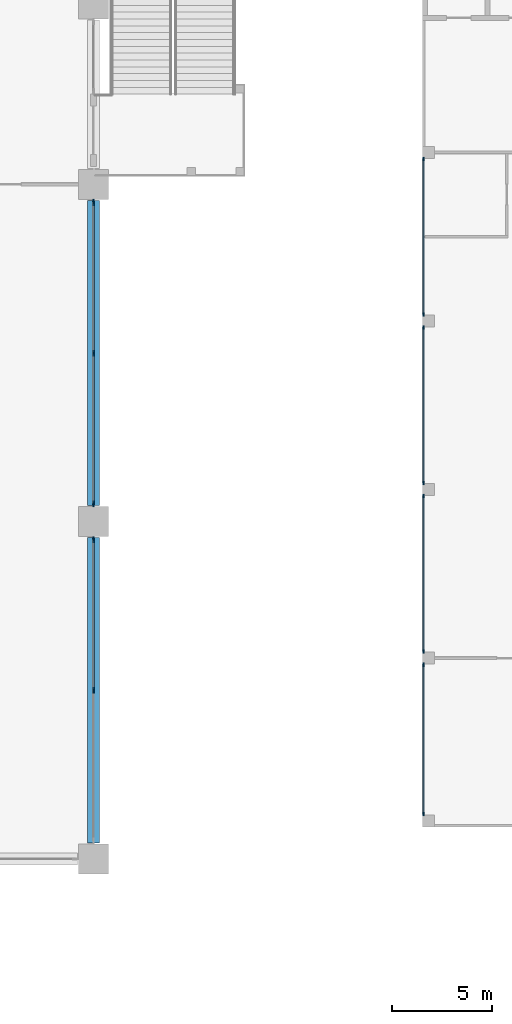
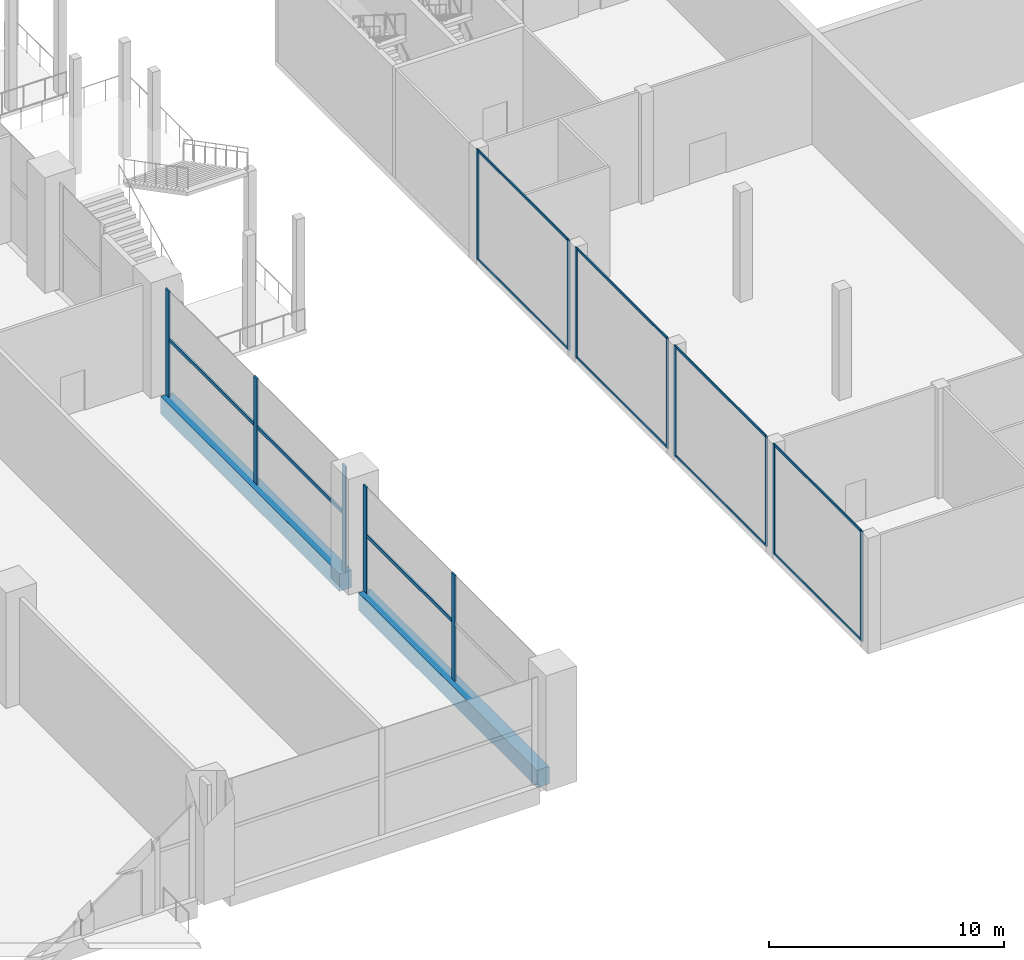
# One storey, part 8 of 49: 24 members, 2 beams, 6 elements without a shape of their own.
"""IFC4 building model written with IfcOpenShell, lengths in metres."""

from ifc_helpers import new_model, si_unit, direction, frame, origin, origin_2d, place, context, subcontext, project, spatial, rectangle, extrude, material, material_profile, profile_set, type_object, element, aggregate, save


model = new_model("IFC4")

# Units and contexts
model_context = context("Model", 3, precision=1e-05, world=origin(), true_north=direction((0.0, 1.0)))
body_context = subcontext(model_context, "Body", "Model", "MODEL_VIEW")
ifc_project = project(units=[si_unit("LENGTHUNIT", "METRE"), si_unit("AREAUNIT", "SQUARE_METRE"), si_unit("VOLUMEUNIT", "CUBIC_METRE"), si_unit("PLANEANGLEUNIT", "RADIAN"), si_unit("MASSUNIT", "GRAM", prefix="KILO")], contexts=[model_context])

# Site, building, storey
site_placement = place(None, origin())
site = spatial("IfcSite", under=ifc_project, at=site_placement, CompositionType="ELEMENT")
building_placement = place(site_placement, origin())
building = spatial("IfcBuilding", under=site, at=building_placement, Name="Candeia Pilgrim Tower and Theatre", CompositionType="ELEMENT")
storey_placement = place(building_placement, frame((0.0, 0.0, 17.0)))
storey = spatial("IfcBuildingStorey", under=building, at=storey_placement, Name="L02", CompositionType="ELEMENT", Elevation=17.0)

# Curtain wall, members
ifc_material_1 = material(Name="Aluminium framed podium glazing", Category="aluminium")
curtain_wall_type_1 = type_object("IfcCurtainWallType", Name="CW-P curtain wall", PredefinedType="NOTDEFINED", material=ifc_material_1)
curtain_wall_1_placement = place(storey_placement, origin())
curtain_wall_1 = element("IfcCurtainWall", 1, at=curtain_wall_1_placement, inside=storey, type_object=curtain_wall_type_1, Name="Curtain wall CW-P L02.250", PredefinedType="NOTDEFINED")
ifc_material_2 = material(Name="Anodised aluminium", Category="aluminium")
ifc_material_profile_1 = material_profile(ifc_material_2, rectangle(XDim=0.080078125, YDim=0.300048828125, at=origin_2d()))
ifc_profile_set_1 = profile_set([ifc_material_profile_1], Name="Anodised aluminium")
member_type_1 = type_object("IfcMemberType", Name="CW-P mullion 80x300", PredefinedType="MULLION", material=ifc_profile_set_1)
member_1_placement = place(storey_placement, frame((159.60009765625, 97.10009765625, 0.0), z_axis=(0.0, 0.0, 1.0), x_axis=(1.0, 0.0, 0.0)))
member_1 = element("IfcMember", 2, at=member_1_placement, type_object=member_type_1, Name="CW-P mullion 1", PredefinedType="MULLION", context=body_context, shape_type="SweptSolid", body=[
    extrude(rectangle(XDim=0.080078125, YDim=0.300048828125, at=origin_2d()), origin(), (0.0, 0.0, 1.0), 5.5),
])
member_2_placement = place(storey_placement, frame((159.60009765625, 89.60009765625, 0.0), z_axis=(0.0, 0.0, 1.0), x_axis=(1.0, 0.0, 0.0)))
member_2 = element("IfcMember", 3, at=member_2_placement, type_object=member_type_1, Name="CW-P mullion 2", PredefinedType="MULLION", context=body_context, shape_type="SweptSolid", body=[
    extrude(rectangle(XDim=0.080078125, YDim=0.300048828125, at=origin_2d()), origin(), (0.0, 0.0, 1.0), 5.5),
])
member_3_placement = place(storey_placement, frame((159.60009765625, 82.10009765625, 0.0), z_axis=(0.0, 0.0, 1.0), x_axis=(1.0, 0.0, 0.0)))
member_3 = element("IfcMember", 4, at=member_3_placement, type_object=member_type_1, Name="CW-P mullion 3", PredefinedType="MULLION", context=body_context, shape_type="SweptSolid", body=[
    extrude(rectangle(XDim=0.080078125, YDim=0.300048828125, at=origin_2d()), origin(), (0.0, 0.0, 1.0), 5.5),
])

curtain_wall_2_placement = place(storey_placement, origin())
curtain_wall_2 = element("IfcCurtainWall", 5, at=curtain_wall_2_placement, inside=storey, type_object=curtain_wall_type_1, Name="Curtain wall CW-P L02.260", PredefinedType="NOTDEFINED")
member_4_placement = place(storey_placement, frame((159.60009765625, 80.300048828125, 0.0), z_axis=(0.0, 0.0, 1.0), x_axis=(1.0, 0.0, 0.0)))
member_4 = element("IfcMember", 6, at=member_4_placement, type_object=member_type_1, Name="CW-P mullion 1", PredefinedType="MULLION", context=body_context, shape_type="SweptSolid", body=[
    extrude(rectangle(XDim=0.080078125, YDim=0.300048828125, at=origin_2d()), origin(), (0.0, 0.0, 1.0), 5.5),
])
member_5_placement = place(storey_placement, frame((159.60009765625, 72.800048828125, 0.0), z_axis=(0.0, 0.0, 1.0), x_axis=(1.0, 0.0, 0.0)))
member_5 = element("IfcMember", 7, at=member_5_placement, type_object=member_type_1, Name="CW-P mullion 2", PredefinedType="MULLION", context=body_context, shape_type="SweptSolid", body=[
    extrude(rectangle(XDim=0.080078125, YDim=0.300048828125, at=origin_2d()), origin(), (0.0, 0.0, 1.0), 5.5),
])

# Member
ifc_material_profile_2 = material_profile(ifc_material_2, rectangle(XDim=0.080078125, YDim=0.179931640625, at=origin_2d()))
ifc_profile_set_2 = profile_set([ifc_material_profile_2], Name="Anodised aluminium")
member_type_2 = type_object("IfcMemberType", Name="CW-P transom 80x180", PredefinedType="USERDEFINED", material=ifc_profile_set_2)
member_6_placement = place(storey_placement, frame((159.60009765625, 97.06005859375, 3.0), z_axis=(0.0, -1.0, 0.0), x_axis=(1.0, 0.0, 0.0)))
member_6 = element("IfcMember", 8, at=member_6_placement, type_object=member_type_2, Name="CW-P transom 1.1", ObjectType="TRANSOM", PredefinedType="USERDEFINED", context=body_context, shape_type="SweptSolid", body=[
    extrude(rectangle(XDim=0.080078125, YDim=0.179931640625, at=origin_2d()), origin(), (0.0, 0.0, 1.0), 7.420166015625),
])

member_7_placement = place(storey_placement, frame((159.60009765625, 89.56005859375, 3.0), z_axis=(0.0, -1.0, 0.0), x_axis=(1.0, 0.0, 0.0)))
member_7 = element("IfcMember", 9, at=member_7_placement, type_object=member_type_2, Name="CW-P transom 2.1", ObjectType="TRANSOM", PredefinedType="USERDEFINED", context=body_context, shape_type="SweptSolid", body=[
    extrude(rectangle(XDim=0.080078125, YDim=0.179931640625, at=origin_2d()), origin(), (0.0, 0.0, 1.0), 7.420166015625),
])

aggregate(curtain_wall_1, [member_1, member_2, member_3, member_6, member_7])

member_8_placement = place(storey_placement, frame((159.60009765625, 80.260009765625, 3.0), z_axis=(0.0, -1.0, 0.0), x_axis=(1.0, 0.0, 0.0)))
member_8 = element("IfcMember", 10, at=member_8_placement, type_object=member_type_2, Name="CW-P transom 1.1", ObjectType="TRANSOM", PredefinedType="USERDEFINED", context=body_context, shape_type="SweptSolid", body=[
    extrude(rectangle(XDim=0.080078125, YDim=0.179931640625, at=origin_2d()), origin(), (0.0, 0.0, 1.0), 7.419921875),
])

aggregate(curtain_wall_2, [member_4, member_5, member_8])

# Curtain wall, members
ifc_material_3 = material(Name="Aluminium curtain wall system", Category="aluminium")
curtain_wall_type_2 = type_object("IfcCurtainWallType", Name="Curtain wall CW-T", PredefinedType="NOTDEFINED", material=ifc_material_3)
curtain_wall_3_placement = place(storey_placement, origin())
curtain_wall_3 = element("IfcCurtainWall", 11, at=curtain_wall_3_placement, inside=storey, type_object=curtain_wall_type_2, Name="Foyer curtain wall L02 1", PredefinedType="NOTDEFINED")
ifc_material_4 = material(Name="Aluminium 6063-T6", Category="aluminium")
ifc_material_profile_3 = material_profile(ifc_material_4, rectangle(XDim=0.06005859375, YDim=0.179931640625, at=origin_2d()))
ifc_profile_set_3 = profile_set([ifc_material_profile_3], Name="Aluminium 6063-T6")
member_type_3 = type_object("IfcMemberType", Name="Mullion CW-T 60x180", PredefinedType="MULLION", material=ifc_profile_set_3)
member_9_placement = place(storey_placement, frame((176.050048828125, 66.6298828125, 0.0), z_axis=(0.0, 0.0, 1.0), x_axis=(-1.0, 0.0, 0.0)))
member_9 = element("IfcMember", 12, at=member_9_placement, type_object=member_type_3, Name="CW-T mullion 1", PredefinedType="MULLION", context=body_context, shape_type="SweptSolid", body=[
    extrude(rectangle(XDim=0.06005859375, YDim=0.179931640625, at=origin_2d()), origin(), (0.0, 0.0, 1.0), 5.699951171875),
])
member_10_placement = place(storey_placement, frame((176.050048828125, 74.070068359375, 0.0), z_axis=(0.0, 0.0, 1.0), x_axis=(-1.0, 0.0, 0.0)))
member_10 = element("IfcMember", 13, at=member_10_placement, type_object=member_type_3, Name="CW-T mullion 2", PredefinedType="MULLION", context=body_context, shape_type="SweptSolid", body=[
    extrude(rectangle(XDim=0.06005859375, YDim=0.179931640625, at=origin_2d()), origin(), (0.0, 0.0, 1.0), 5.699951171875),
])

curtain_wall_4_placement = place(storey_placement, origin())
curtain_wall_4 = element("IfcCurtainWall", 14, at=curtain_wall_4_placement, inside=storey, type_object=curtain_wall_type_2, Name="Foyer curtain wall L02 2", PredefinedType="NOTDEFINED")
member_11_placement = place(storey_placement, frame((176.050048828125, 74.72998046875, 0.0), z_axis=(0.0, 0.0, 1.0), x_axis=(-1.0, 0.0, 0.0)))
member_11 = element("IfcMember", 15, at=member_11_placement, type_object=member_type_3, Name="CW-T mullion 1", PredefinedType="MULLION", context=body_context, shape_type="SweptSolid", body=[
    extrude(rectangle(XDim=0.06005859375, YDim=0.179931640625, at=origin_2d()), origin(), (0.0, 0.0, 1.0), 5.699951171875),
])
member_12_placement = place(storey_placement, frame((176.050048828125, 82.469970703125, 0.0), z_axis=(0.0, 0.0, 1.0), x_axis=(-1.0, 0.0, 0.0)))
member_12 = element("IfcMember", 16, at=member_12_placement, type_object=member_type_3, Name="CW-T mullion 2", PredefinedType="MULLION", context=body_context, shape_type="SweptSolid", body=[
    extrude(rectangle(XDim=0.06005859375, YDim=0.179931640625, at=origin_2d()), origin(), (0.0, 0.0, 1.0), 5.699951171875),
])

curtain_wall_5_placement = place(storey_placement, origin())
curtain_wall_5 = element("IfcCurtainWall", 17, at=curtain_wall_5_placement, inside=storey, type_object=curtain_wall_type_2, Name="Foyer curtain wall L02 3", PredefinedType="NOTDEFINED")
member_13_placement = place(storey_placement, frame((176.050048828125, 83.1298828125, 0.0), z_axis=(0.0, 0.0, 1.0), x_axis=(-1.0, 0.0, 0.0)))
member_13 = element("IfcMember", 18, at=member_13_placement, type_object=member_type_3, Name="CW-T mullion 1", PredefinedType="MULLION", context=body_context, shape_type="SweptSolid", body=[
    extrude(rectangle(XDim=0.06005859375, YDim=0.179931640625, at=origin_2d()), origin(), (0.0, 0.0, 1.0), 5.699951171875),
])
member_14_placement = place(storey_placement, frame((176.050048828125, 90.8701171875, 0.0), z_axis=(0.0, 0.0, 1.0), x_axis=(-1.0, 0.0, 0.0)))
member_14 = element("IfcMember", 19, at=member_14_placement, type_object=member_type_3, Name="CW-T mullion 2", PredefinedType="MULLION", context=body_context, shape_type="SweptSolid", body=[
    extrude(rectangle(XDim=0.06005859375, YDim=0.179931640625, at=origin_2d()), origin(), (0.0, 0.0, 1.0), 5.699951171875),
])

curtain_wall_6_placement = place(storey_placement, origin())
curtain_wall_6 = element("IfcCurtainWall", 20, at=curtain_wall_6_placement, inside=storey, type_object=curtain_wall_type_2, Name="Foyer curtain wall L02 4", PredefinedType="NOTDEFINED")
member_15_placement = place(storey_placement, frame((176.050048828125, 91.530029296875, 0.0), z_axis=(0.0, 0.0, 1.0), x_axis=(-1.0, 0.0, 0.0)))
member_15 = element("IfcMember", 21, at=member_15_placement, type_object=member_type_3, Name="CW-T mullion 1", PredefinedType="MULLION", context=body_context, shape_type="SweptSolid", body=[
    extrude(rectangle(XDim=0.06005859375, YDim=0.179931640625, at=origin_2d()), origin(), (0.0, 0.0, 1.0), 5.699951171875),
])
member_16_placement = place(storey_placement, frame((176.050048828125, 99.27001953125, 0.0), z_axis=(0.0, 0.0, 1.0), x_axis=(-1.0, 0.0, 0.0)))
member_16 = element("IfcMember", 22, at=member_16_placement, type_object=member_type_3, Name="CW-T mullion 2", PredefinedType="MULLION", context=body_context, shape_type="SweptSolid", body=[
    extrude(rectangle(XDim=0.06005859375, YDim=0.179931640625, at=origin_2d()), origin(), (0.0, 0.0, 1.0), 5.699951171875),
])

# Beams
ifc_material_5 = material(Name="Concrete C80/95", Category="concrete")
ifc_material_profile_4 = material_profile(ifc_material_5, rectangle(XDim=0.60009765625, YDim=0.89990234375, at=origin_2d()))
ifc_profile_set_4 = profile_set([ifc_material_profile_4], Name="Concrete C80/95")
beam_type = type_object("IfcBeamType", Name="RC 600x900 C80/95", PredefinedType="BEAM", material=ifc_profile_set_4)
for number, where, z_axis, x_axis, name in (
    (23, (159.60009765625, 65.199951171875, -0.449951171875), (0.0, 1.0, 0.0), (-1.0, 0.0, 0.0), "Spandrel beam L02-01"),
    (24, (159.60009765625, 82.0, -0.449951171875), (0.0, 1.0, 0.0), (-1.0, 0.0, 0.0), "Spandrel beam L02-02"),
):
    element("IfcBeam", number, at=place(storey_placement, frame(where, z_axis=z_axis, x_axis=x_axis)), inside=storey, type_object=beam_type, Name=name, PredefinedType="BEAM", context=body_context, shape_type="SweptSolid", body=[
        extrude(rectangle(XDim=0.60009765625, YDim=0.89990234375, at=origin_2d()), origin(), (0.0, 0.0, 1.0), 15.199951171875),
    ])

# Member
ifc_material_profile_5 = material_profile(ifc_material_4, rectangle(XDim=0.06005859375, YDim=0.1201171875, at=origin_2d()))
ifc_profile_set_5 = profile_set([ifc_material_profile_5], Name="Aluminium 6063-T6")
member_type_4 = type_object("IfcMemberType", Name="Transom CW-T 60x120", PredefinedType="USERDEFINED", material=ifc_profile_set_5)
member_17_placement = place(storey_placement, frame((176.050048828125, 66.659912109375, 0.030029296875), z_axis=(0.0, 1.0, 0.0), x_axis=(-1.0, 0.0, 0.0)))
member_17 = element("IfcMember", 25, at=member_17_placement, type_object=member_type_4, Name="CW-T transom 1.1", ObjectType="TRANSOM", PredefinedType="USERDEFINED", context=body_context, shape_type="SweptSolid", body=[
    extrude(rectangle(XDim=0.06005859375, YDim=0.1201171875, at=origin_2d()), origin(), (0.0, 0.0, 1.0), 7.380126953125),
])

member_18_placement = place(storey_placement, frame((176.050048828125, 66.659912109375, 5.669921875), z_axis=(0.0, 1.0, 0.0), x_axis=(-1.0, 0.0, 0.0)))
member_18 = element("IfcMember", 26, at=member_18_placement, type_object=member_type_4, Name="CW-T transom 1.2", ObjectType="TRANSOM", PredefinedType="USERDEFINED", context=body_context, shape_type="SweptSolid", body=[
    extrude(rectangle(XDim=0.06005859375, YDim=0.1201171875, at=origin_2d()), origin(), (0.0, 0.0, 1.0), 7.380126953125),
])

aggregate(curtain_wall_3, [member_9, member_10, member_17, member_18])

member_19_placement = place(storey_placement, frame((176.050048828125, 74.760009765625, 0.030029296875), z_axis=(0.0, 1.0, 0.0), x_axis=(-1.0, 0.0, 0.0)))
member_19 = element("IfcMember", 27, at=member_19_placement, type_object=member_type_4, Name="CW-T transom 1.1", ObjectType="TRANSOM", PredefinedType="USERDEFINED", context=body_context, shape_type="SweptSolid", body=[
    extrude(rectangle(XDim=0.06005859375, YDim=0.1201171875, at=origin_2d()), origin(), (0.0, 0.0, 1.0), 7.679931640625),
])

member_20_placement = place(storey_placement, frame((176.050048828125, 74.760009765625, 5.669921875), z_axis=(0.0, 1.0, 0.0), x_axis=(-1.0, 0.0, 0.0)))
member_20 = element("IfcMember", 28, at=member_20_placement, type_object=member_type_4, Name="CW-T transom 1.2", ObjectType="TRANSOM", PredefinedType="USERDEFINED", context=body_context, shape_type="SweptSolid", body=[
    extrude(rectangle(XDim=0.06005859375, YDim=0.1201171875, at=origin_2d()), origin(), (0.0, 0.0, 1.0), 7.679931640625),
])

aggregate(curtain_wall_4, [member_11, member_12, member_19, member_20])

member_21_placement = place(storey_placement, frame((176.050048828125, 83.159912109375, 0.030029296875), z_axis=(0.0, 1.0, 0.0), x_axis=(-1.0, 0.0, 0.0)))
member_21 = element("IfcMember", 29, at=member_21_placement, type_object=member_type_4, Name="CW-T transom 1.1", ObjectType="TRANSOM", PredefinedType="USERDEFINED", context=body_context, shape_type="SweptSolid", body=[
    extrude(rectangle(XDim=0.06005859375, YDim=0.1201171875, at=origin_2d()), origin(), (0.0, 0.0, 1.0), 7.68017578125),
])

member_22_placement = place(storey_placement, frame((176.050048828125, 83.159912109375, 5.669921875), z_axis=(0.0, 1.0, 0.0), x_axis=(-1.0, 0.0, 0.0)))
member_22 = element("IfcMember", 30, at=member_22_placement, type_object=member_type_4, Name="CW-T transom 1.2", ObjectType="TRANSOM", PredefinedType="USERDEFINED", context=body_context, shape_type="SweptSolid", body=[
    extrude(rectangle(XDim=0.06005859375, YDim=0.1201171875, at=origin_2d()), origin(), (0.0, 0.0, 1.0), 7.68017578125),
])

aggregate(curtain_wall_5, [member_13, member_14, member_21, member_22])

member_23_placement = place(storey_placement, frame((176.050048828125, 91.56005859375, 0.030029296875), z_axis=(0.0, 1.0, 0.0), x_axis=(-1.0, 0.0, 0.0)))
member_23 = element("IfcMember", 31, at=member_23_placement, type_object=member_type_4, Name="CW-T transom 1.1", ObjectType="TRANSOM", PredefinedType="USERDEFINED", context=body_context, shape_type="SweptSolid", body=[
    extrude(rectangle(XDim=0.06005859375, YDim=0.1201171875, at=origin_2d()), origin(), (0.0, 0.0, 1.0), 7.679931640625),
])

member_24_placement = place(storey_placement, frame((176.050048828125, 91.56005859375, 5.669921875), z_axis=(0.0, 1.0, 0.0), x_axis=(-1.0, 0.0, 0.0)))
member_24 = element("IfcMember", 32, at=member_24_placement, type_object=member_type_4, Name="CW-T transom 1.2", ObjectType="TRANSOM", PredefinedType="USERDEFINED", context=body_context, shape_type="SweptSolid", body=[
    extrude(rectangle(XDim=0.06005859375, YDim=0.1201171875, at=origin_2d()), origin(), (0.0, 0.0, 1.0), 7.679931640625),
])

aggregate(curtain_wall_6, [member_15, member_16, member_23, member_24])

save(model, "model.ifc")
